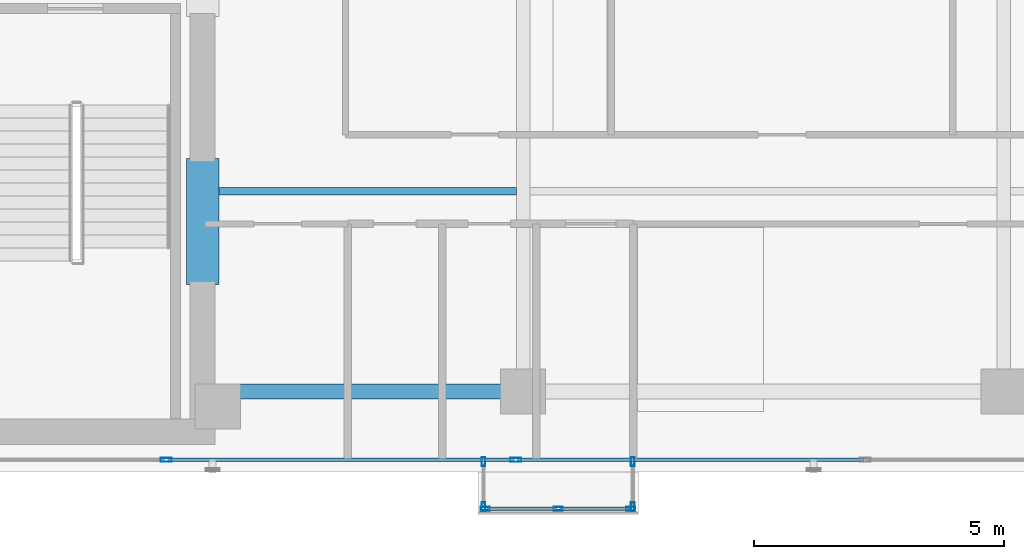
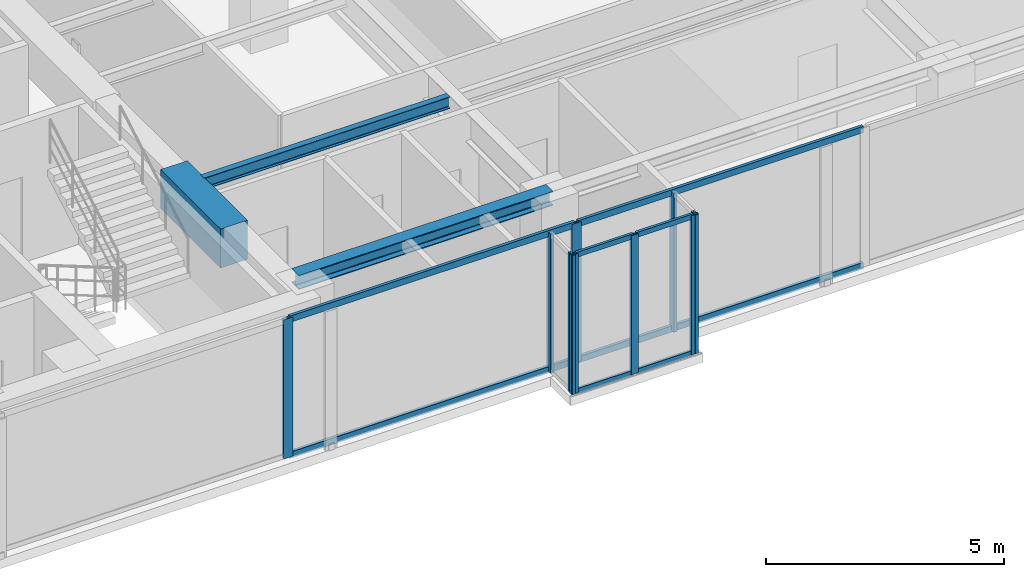
# One storey, part 4 of 24: 17 members, 3 beams, 4 elements without a shape of their own.
"""IFC4 building model written with IfcOpenShell, lengths in metres."""

from ifc_helpers import new_model, si_unit, direction, frame, origin, origin_with_axes, origin_2d, place, context, subcontext, project, spatial, rectangle, hollow_rectangle, i_section, extrude, source, transform, mapped, material, layer, layer_set, material_profile, profile_set, type_object, element, aggregate, save


model = new_model("IFC4")

# Units and contexts
model_context = context("Model", 3, precision=1e-05, world=origin(), true_north=direction((0.0, 1.0)))
body_context = subcontext(model_context, "Body", "Model", "MODEL_VIEW")
ifc_project = project(units=[si_unit("LENGTHUNIT", "METRE"), si_unit("AREAUNIT", "SQUARE_METRE"), si_unit("VOLUMEUNIT", "CUBIC_METRE"), si_unit("PLANEANGLEUNIT", "RADIAN"), si_unit("MASSUNIT", "GRAM", prefix="KILO")], contexts=[model_context])

# Site, building, storey
site_placement = place(None, origin())
site = spatial("IfcSite", under=ifc_project, at=site_placement, CompositionType="ELEMENT")
building_placement = place(site_placement, origin())
building = spatial("IfcBuilding", under=site, at=building_placement, Name="Kolvaren Waterfront Exchange", CompositionType="ELEMENT")
storey_placement = place(building_placement, frame((0.0, 0.0, 293.199951171875)))
storey = spatial("IfcBuildingStorey", under=building, at=storey_placement, Name="L75", CompositionType="ELEMENT", Elevation=293.199951171875)

# Beams
ifc_material_1 = material(Name="Steel S355", Category="steel")
ifc_material_profile_1 = material_profile(ifc_material_1, i_section(OverallWidth=0.300048828125, OverallDepth=0.360107421875, WebThickness=0.012451171875, FlangeThickness=0.0224609375, FilletRadius=0.027099609375, at=origin_2d()), Name="HEB360")
ifc_profile_set_1 = profile_set([ifc_material_profile_1], Name="Steel S355")
beam_type_1 = type_object("IfcBeamType", Name="STR-BM-HEB360", PredefinedType="SPANDREL", material=ifc_profile_set_1)
beam_1_placement = place(storey_placement, frame((21.050048828125, 5.199951171875, 3.380126953125), z_axis=(1.0, 0.0, 0.0), x_axis=(0.0, 1.0, 0.0)))
element("IfcBeam", 1, at=beam_1_placement, inside=storey, type_object=beam_type_1, Name="L75 east-arm spandrel S1", PredefinedType="SPANDREL", context=body_context, shape_type="SweptSolid", body=[
    extrude(i_section(OverallWidth=0.300048828125, OverallDepth=0.360107421875, WebThickness=0.012451171875, FlangeThickness=0.0224609375, FilletRadius=0.027099609375, at=origin_2d()), origin(), (0.0, 0.0, 1.0), 6.14990234375),
])
ifc_material_profile_2 = material_profile(ifc_material_1, i_section(OverallWidth=0.14990234375, OverallDepth=0.300048828125, WebThickness=0.007080078125, FlangeThickness=0.0107421875, FilletRadius=0.014892578125, at=origin_2d()), Name="IPE300")
ifc_profile_set_2 = profile_set([ifc_material_profile_2], Name="Steel S355")
beam_type_2 = type_object("IfcBeamType", Name="STR-BM-IPE300", PredefinedType="JOIST", material=ifc_profile_set_2)
beam_2_placement = place(storey_placement, frame((21.10009765625, 9.199951171875, 3.41015625), z_axis=(1.0, 0.0, 0.0), x_axis=(0.0, 1.0, 0.0)))
element("IfcBeam", 2, at=beam_2_placement, inside=storey, type_object=beam_type_2, Name="L75 east-arm composite joist 1B", PredefinedType="JOIST", context=body_context, shape_type="SweptSolid", body=[
    extrude(i_section(OverallWidth=0.14990234375, OverallDepth=0.300048828125, WebThickness=0.007080078125, FlangeThickness=0.0107421875, FilletRadius=0.014892578125, at=origin_2d()), origin(), (0.0, 0.0, 1.0), 5.96435546875),
])
ifc_material_2 = material(Name="Concrete C60/75", Category="concrete")
ifc_material_profile_3 = material_profile(ifc_material_2, rectangle(XDim=0.64990234375, YDim=1.0, at=origin_2d()), Name="RC-CB-1000x650")
ifc_profile_set_3 = profile_set([ifc_material_profile_3], Name="Concrete C60/75")
beam_type_3 = type_object("IfcBeamType", Name="STR-CB-1000", PredefinedType="SPANDREL", material=ifc_profile_set_3)
beam_3_placement = place(storey_placement, frame((20.800048828125, 7.340087890625, 3.06005859375), z_axis=(0.0, 1.0, 0.0), x_axis=(-1.0, 0.0, 0.0)))
element("IfcBeam", 3, at=beam_3_placement, inside=storey, type_object=beam_type_3, Name="L75 core coupling beam 1", PredefinedType="SPANDREL", context=body_context, shape_type="SweptSolid", body=[
    extrude(rectangle(XDim=0.64990234375, YDim=1.0, at=origin_2d()), origin(), (0.0, 0.0, 1.0), 2.52001953125),
])

# Curtain wall, members
ifc_material_3 = material(Name="Anodised bronze aluminium 6063-T6", Category="aluminium")
ifc_layer_1 = layer(ifc_material_3, 0.219970703125, Name="Anodised bronze aluminium 6063-T6")
ifc_layer_set_1 = layer_set([ifc_layer_1], Name="Anodised bronze aluminium 6063-T6")
curtain_wall_type_1 = type_object("IfcCurtainWallType", Name="ARC-CW-SYS3", PredefinedType="USERDEFINED", material=ifc_layer_set_1)
curtain_wall_1_placement = place(storey_placement, origin())
curtain_wall_1 = element("IfcCurtainWall", 4, at=curtain_wall_1_placement, inside=storey, type_object=curtain_wall_type_1, Name="L75 stick curtain wall CW3 (CW-L75-BOX)", ObjectType="STICK CURTAIN WALL", PredefinedType="USERDEFINED")
ifc_material_profile_4 = material_profile(ifc_material_3, hollow_rectangle(XDim=0.06494140625, YDim=0.1298828125, WallThickness=0.00390625, at=origin_2d()), Name="ALU-TRN-130x65x4")
ifc_profile_set_4 = profile_set([ifc_material_profile_4], Name="Anodised bronze aluminium 6063-T6")
member_type_1 = type_object("IfcMemberType", Name="ARC-CWT-130", PredefinedType="USERDEFINED", material=ifc_profile_set_4)
shared_shape_1 = source(origin_with_axes(), body_context, "Body", "SweptSolid", [
    extrude(hollow_rectangle(XDim=0.06494140625, YDim=0.1298828125, WallThickness=0.00390625, at=origin_2d()), origin(), (0.0, 0.0, 1.0), 1.37744140625),
])
member_1_placement = place(storey_placement, frame((26.485107421875, 2.860107421875, 0.032470703125), z_axis=(1.0, 0.0, 0.0), x_axis=(0.0, 1.0, 0.0)))
member_1 = element("IfcMember", 5, at=member_1_placement, type_object=member_type_1, Name="CW3 transom 1.1", ObjectType="TRANSOM", PredefinedType="USERDEFINED", context=body_context, shape_type="MappedRepresentation", body=[
    mapped(shared_shape_1, transform((0.0, 0.0, 0.0), x_axis=(1.0, 0.0, 0.0), y_axis=(0.0, 1.0, 0.0), z_axis=(0.0, 0.0, 1.0), scale=1.0)),
])
member_2_placement = place(storey_placement, frame((26.485107421875, 2.860107421875, 3.527587890625), z_axis=(1.0, 0.0, 0.0), x_axis=(0.0, 1.0, 0.0)))
member_2 = element("IfcMember", 6, at=member_2_placement, type_object=member_type_1, Name="CW3 transom 1.2", ObjectType="TRANSOM", PredefinedType="USERDEFINED", context=body_context, shape_type="MappedRepresentation", body=[
    mapped(shared_shape_1, transform((0.0, 0.0, 0.0), x_axis=(1.0, 0.0, 0.0), y_axis=(0.0, 1.0, 0.0), z_axis=(0.0, 0.0, 1.0), scale=1.0)),
])
member_3_placement = place(storey_placement, frame((27.9375, 2.860107421875, 0.032470703125), z_axis=(1.0, 0.0, 0.0), x_axis=(0.0, 1.0, 0.0)))
member_3 = element("IfcMember", 7, at=member_3_placement, type_object=member_type_1, Name="CW3 transom 2.1", ObjectType="TRANSOM", PredefinedType="USERDEFINED", context=body_context, shape_type="MappedRepresentation", body=[
    mapped(shared_shape_1, transform((0.0, 0.0, 0.0), x_axis=(1.0, 0.0, 0.0), y_axis=(0.0, 1.0, 0.0), z_axis=(0.0, 0.0, 1.0), scale=1.0)),
])
member_4_placement = place(storey_placement, frame((27.9375, 2.860107421875, 3.527587890625), z_axis=(1.0, 0.0, 0.0), x_axis=(0.0, 1.0, 0.0)))
member_4 = element("IfcMember", 8, at=member_4_placement, type_object=member_type_1, Name="CW3 transom 2.2", ObjectType="TRANSOM", PredefinedType="USERDEFINED", context=body_context, shape_type="MappedRepresentation", body=[
    mapped(shared_shape_1, transform((0.0, 0.0, 0.0), x_axis=(1.0, 0.0, 0.0), y_axis=(0.0, 1.0, 0.0), z_axis=(0.0, 0.0, 1.0), scale=1.0)),
])

curtain_wall_2_placement = place(storey_placement, origin())
curtain_wall_2 = element("IfcCurtainWall", 9, at=curtain_wall_2_placement, inside=storey, type_object=curtain_wall_type_1, Name="L75 stick curtain wall CW3 (CW-L75-BOX-W)", ObjectType="STICK CURTAIN WALL", PredefinedType="USERDEFINED")
ifc_material_profile_5 = material_profile(ifc_material_3, hollow_rectangle(XDim=0.074951171875, YDim=0.179931640625, WallThickness=0.00439453125, at=origin_2d()), Name="ALU-MUL-180x75x4.5")
ifc_profile_set_5 = profile_set([ifc_material_profile_5], Name="Anodised bronze aluminium 6063-T6")
member_type_2 = type_object("IfcMemberType", Name="ARC-CWM-180", PredefinedType="MULLION", material=ifc_profile_set_5)
shared_shape_2 = source(origin_with_axes(), body_context, "Body", "SweptSolid", [
    extrude(hollow_rectangle(XDim=0.074951171875, YDim=0.179931640625, WallThickness=0.00439453125, at=origin_2d()), origin(), (0.0, 0.0, 1.0), 3.56005859375),
])
member_5_placement = place(storey_placement, frame((26.409912109375, 3.802490234375, 0.0), z_axis=(0.0, 0.0, 1.0), x_axis=(1.0, 0.0, 0.0)))
member_5 = element("IfcMember", 10, at=member_5_placement, type_object=member_type_2, Name="CW3 mullion 1", PredefinedType="MULLION", context=body_context, shape_type="MappedRepresentation", body=[
    mapped(shared_shape_2, transform((0.0, 0.0, 0.0), x_axis=(1.0, 0.0, 0.0), y_axis=(0.0, 1.0, 0.0), z_axis=(0.0, 0.0, 1.0), scale=1.0)),
])
member_6_placement = place(storey_placement, frame((26.409912109375, 2.8974609375, 0.0), z_axis=(0.0, 0.0, 1.0), x_axis=(1.0, 0.0, 0.0)))
member_6 = element("IfcMember", 11, at=member_6_placement, type_object=member_type_2, Name="CW3 mullion 2", PredefinedType="MULLION", context=body_context, shape_type="MappedRepresentation", body=[
    mapped(shared_shape_2, transform((0.0, 0.0, 0.0), x_axis=(1.0, 0.0, 0.0), y_axis=(0.0, 1.0, 0.0), z_axis=(0.0, 0.0, 1.0), scale=1.0)),
])
aggregate(curtain_wall_2, [member_5, member_6])

# Member
member_7_placement = place(storey_placement, frame((26.447509765625, 2.860107421875, 0.0), z_axis=(0.0, 0.0, 1.0), x_axis=(0.0, 1.0, 0.0)))
member_7 = element("IfcMember", 12, at=member_7_placement, type_object=member_type_2, Name="CW3 mullion 1", PredefinedType="MULLION", context=body_context, shape_type="MappedRepresentation", body=[
    mapped(shared_shape_2, transform((0.0, 0.0, 0.0), x_axis=(1.0, 0.0, 0.0), y_axis=(0.0, 1.0, 0.0), z_axis=(0.0, 0.0, 1.0), scale=1.0)),
])

member_8_placement = place(storey_placement, frame((27.89990234375, 2.860107421875, 0.0), z_axis=(0.0, 0.0, 1.0), x_axis=(0.0, 1.0, 0.0)))
member_8 = element("IfcMember", 13, at=member_8_placement, type_object=member_type_2, Name="CW3 mullion 2", PredefinedType="MULLION", context=body_context, shape_type="MappedRepresentation", body=[
    mapped(shared_shape_2, transform((0.0, 0.0, 0.0), x_axis=(1.0, 0.0, 0.0), y_axis=(0.0, 1.0, 0.0), z_axis=(0.0, 0.0, 1.0), scale=1.0)),
])

member_9_placement = place(storey_placement, frame((29.3525390625, 2.860107421875, 0.0), z_axis=(0.0, 0.0, 1.0), x_axis=(0.0, 1.0, 0.0)))
member_9 = element("IfcMember", 14, at=member_9_placement, type_object=member_type_2, Name="CW3 mullion 3", PredefinedType="MULLION", context=body_context, shape_type="MappedRepresentation", body=[
    mapped(shared_shape_2, transform((0.0, 0.0, 0.0), x_axis=(1.0, 0.0, 0.0), y_axis=(0.0, 1.0, 0.0), z_axis=(0.0, 0.0, 1.0), scale=1.0)),
])

aggregate(curtain_wall_1, [member_7, member_8, member_9, member_1, member_2, member_3, member_4])

# Curtain wall, members
curtain_wall_3_placement = place(storey_placement, origin())
curtain_wall_3 = element("IfcCurtainWall", 15, at=curtain_wall_3_placement, inside=storey, type_object=curtain_wall_type_1, Name="L75 stick curtain wall CW3 (CW-L75-BOX-E)", ObjectType="STICK CURTAIN WALL", PredefinedType="USERDEFINED")
member_10_placement = place(storey_placement, frame((29.389892578125, 2.8974609375, 0.0), z_axis=(0.0, 0.0, 1.0), x_axis=(-1.0, 0.0, 0.0)))
member_10 = element("IfcMember", 16, at=member_10_placement, type_object=member_type_2, Name="CW3 mullion 1", PredefinedType="MULLION", context=body_context, shape_type="MappedRepresentation", body=[
    mapped(shared_shape_2, transform((0.0, 0.0, 0.0), x_axis=(1.0, 0.0, 0.0), y_axis=(0.0, 1.0, 0.0), z_axis=(0.0, 0.0, 1.0), scale=1.0)),
])
member_11_placement = place(storey_placement, frame((29.389892578125, 3.802490234375, 0.0), z_axis=(0.0, 0.0, 1.0), x_axis=(-1.0, 0.0, 0.0)))
member_11 = element("IfcMember", 17, at=member_11_placement, type_object=member_type_2, Name="CW3 mullion 2", PredefinedType="MULLION", context=body_context, shape_type="MappedRepresentation", body=[
    mapped(shared_shape_2, transform((0.0, 0.0, 0.0), x_axis=(1.0, 0.0, 0.0), y_axis=(0.0, 1.0, 0.0), z_axis=(0.0, 0.0, 1.0), scale=1.0)),
])
aggregate(curtain_wall_3, [member_10, member_11])

ifc_layer_2 = layer(ifc_material_3, 0.219970703125, Name="Anodised bronze aluminium 6063-T6")
ifc_layer_set_2 = layer_set([ifc_layer_2], Name="Anodised bronze aluminium 6063-T6")
curtain_wall_type_2 = type_object("IfcCurtainWallType", Name="ARC-CW-SYS1", PredefinedType="USERDEFINED", material=ifc_layer_set_2)
curtain_wall_4_placement = place(storey_placement, origin())
curtain_wall_4 = element("IfcCurtainWall", 18, at=curtain_wall_4_placement, inside=storey, type_object=curtain_wall_type_2, Name="L75 stick curtain wall CW1 (CW-L75-S)", ObjectType="STICK CURTAIN WALL", PredefinedType="USERDEFINED")
ifc_material_4 = material(Name="Anodised aluminium 6063-T6", Category="aluminium")
ifc_material_profile_6 = material_profile(ifc_material_4, hollow_rectangle(XDim=0.080078125, YDim=0.219970703125, WallThickness=0.0048828125, at=origin_2d()), Name="ALU-MUL-220x80x5")
ifc_profile_set_6 = profile_set([ifc_material_profile_6], Name="Anodised aluminium 6063-T6")
member_type_3 = type_object("IfcMemberType", Name="ARC-CWM-220", PredefinedType="MULLION", material=ifc_profile_set_6)
shared_shape_3 = source(origin_with_axes(), body_context, "Body", "SweptSolid", [
    extrude(hollow_rectangle(XDim=0.080078125, YDim=0.219970703125, WallThickness=0.0048828125, at=origin_2d()), origin(), (0.0, 0.0, 1.0), 3.56005859375),
])
member_12_placement = place(storey_placement, frame((20.068359375, 3.840087890625, 0.0), z_axis=(0.0, 0.0, 1.0), x_axis=(0.0, 1.0, 0.0)))
member_12 = element("IfcMember", 19, at=member_12_placement, type_object=member_type_3, Name="CW1 mullion 3", PredefinedType="MULLION", context=body_context, shape_type="MappedRepresentation", body=[
    mapped(shared_shape_3, transform((0.0, 0.0, 0.0), x_axis=(1.0, 0.0, 0.0), y_axis=(0.0, 1.0, 0.0), z_axis=(0.0, 0.0, 1.0), scale=1.0)),
])
member_13_placement = place(storey_placement, frame((27.052734375, 3.840087890625, 0.0), z_axis=(0.0, 0.0, 1.0), x_axis=(0.0, 1.0, 0.0)))
member_13 = element("IfcMember", 20, at=member_13_placement, type_object=member_type_3, Name="CW1 mullion 4", PredefinedType="MULLION", context=body_context, shape_type="MappedRepresentation", body=[
    mapped(shared_shape_3, transform((0.0, 0.0, 0.0), x_axis=(1.0, 0.0, 0.0), y_axis=(0.0, 1.0, 0.0), z_axis=(0.0, 0.0, 1.0), scale=1.0)),
])
ifc_material_profile_7 = material_profile(ifc_material_4, hollow_rectangle(XDim=0.074951171875, YDim=0.159912109375, WallThickness=0.00439453125, at=origin_2d()), Name="ALU-TRN-160x75x4.5")
ifc_profile_set_7 = profile_set([ifc_material_profile_7], Name="Anodised aluminium 6063-T6")
member_type_4 = type_object("IfcMemberType", Name="ARC-CWT-160", PredefinedType="USERDEFINED", material=ifc_profile_set_7)
shared_shape_4 = source(origin_with_axes(), body_context, "Body", "SweptSolid", [
    extrude(hollow_rectangle(XDim=0.074951171875, YDim=0.159912109375, WallThickness=0.00439453125, at=origin_2d()), origin(), (0.0, 0.0, 1.0), 6.904296875),
])
member_14_placement = place(storey_placement, frame((20.1083984375, 3.840087890625, 0.03759765625), z_axis=(1.0, 0.0, 0.0), x_axis=(0.0, 1.0, 0.0)))
member_14 = element("IfcMember", 21, at=member_14_placement, type_object=member_type_4, Name="CW1 transom 3.1", ObjectType="TRANSOM", PredefinedType="USERDEFINED", context=body_context, shape_type="MappedRepresentation", body=[
    mapped(shared_shape_4, transform((0.0, 0.0, 0.0), x_axis=(1.0, 0.0, 0.0), y_axis=(0.0, 1.0, 0.0), z_axis=(0.0, 0.0, 1.0), scale=1.0)),
])
member_15_placement = place(storey_placement, frame((20.1083984375, 3.840087890625, 3.5224609375), z_axis=(1.0, 0.0, 0.0), x_axis=(0.0, 1.0, 0.0)))
member_15 = element("IfcMember", 22, at=member_15_placement, type_object=member_type_4, Name="CW1 transom 3.2", ObjectType="TRANSOM", PredefinedType="USERDEFINED", context=body_context, shape_type="MappedRepresentation", body=[
    mapped(shared_shape_4, transform((0.0, 0.0, 0.0), x_axis=(1.0, 0.0, 0.0), y_axis=(0.0, 1.0, 0.0), z_axis=(0.0, 0.0, 1.0), scale=1.0)),
])
member_16_placement = place(storey_placement, frame((27.092529296875, 3.840087890625, 0.03759765625), z_axis=(1.0, 0.0, 0.0), x_axis=(0.0, 1.0, 0.0)))
member_16 = element("IfcMember", 23, at=member_16_placement, type_object=member_type_4, Name="CW1 transom 4.1", ObjectType="TRANSOM", PredefinedType="USERDEFINED", context=body_context, shape_type="MappedRepresentation", body=[
    mapped(shared_shape_4, transform((0.0, 0.0, 0.0), x_axis=(1.0, 0.0, 0.0), y_axis=(0.0, 1.0, 0.0), z_axis=(0.0, 0.0, 1.0), scale=1.0)),
])
member_17_placement = place(storey_placement, frame((27.092529296875, 3.840087890625, 3.5224609375), z_axis=(1.0, 0.0, 0.0), x_axis=(0.0, 1.0, 0.0)))
member_17 = element("IfcMember", 24, at=member_17_placement, type_object=member_type_4, Name="CW1 transom 4.2", ObjectType="TRANSOM", PredefinedType="USERDEFINED", context=body_context, shape_type="MappedRepresentation", body=[
    mapped(shared_shape_4, transform((0.0, 0.0, 0.0), x_axis=(1.0, 0.0, 0.0), y_axis=(0.0, 1.0, 0.0), z_axis=(0.0, 0.0, 1.0), scale=1.0)),
])
aggregate(curtain_wall_4, [member_12, member_13, member_14, member_15, member_16, member_17])

save(model, "model.ifc")
